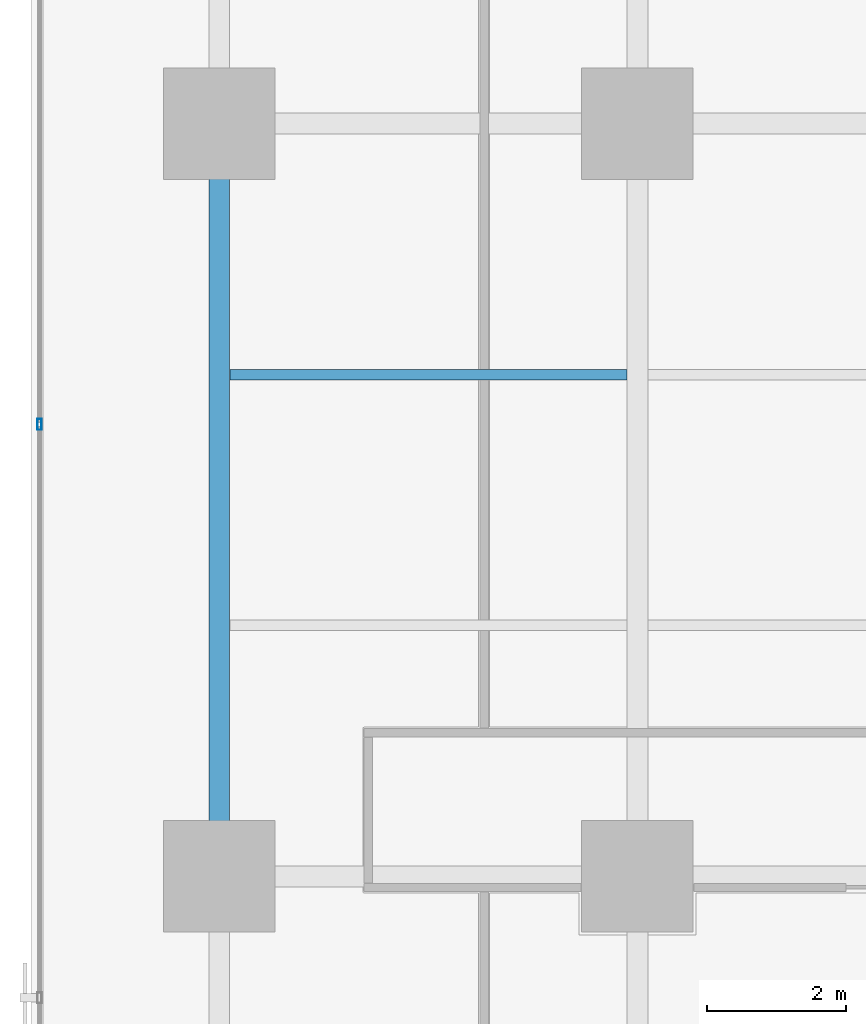
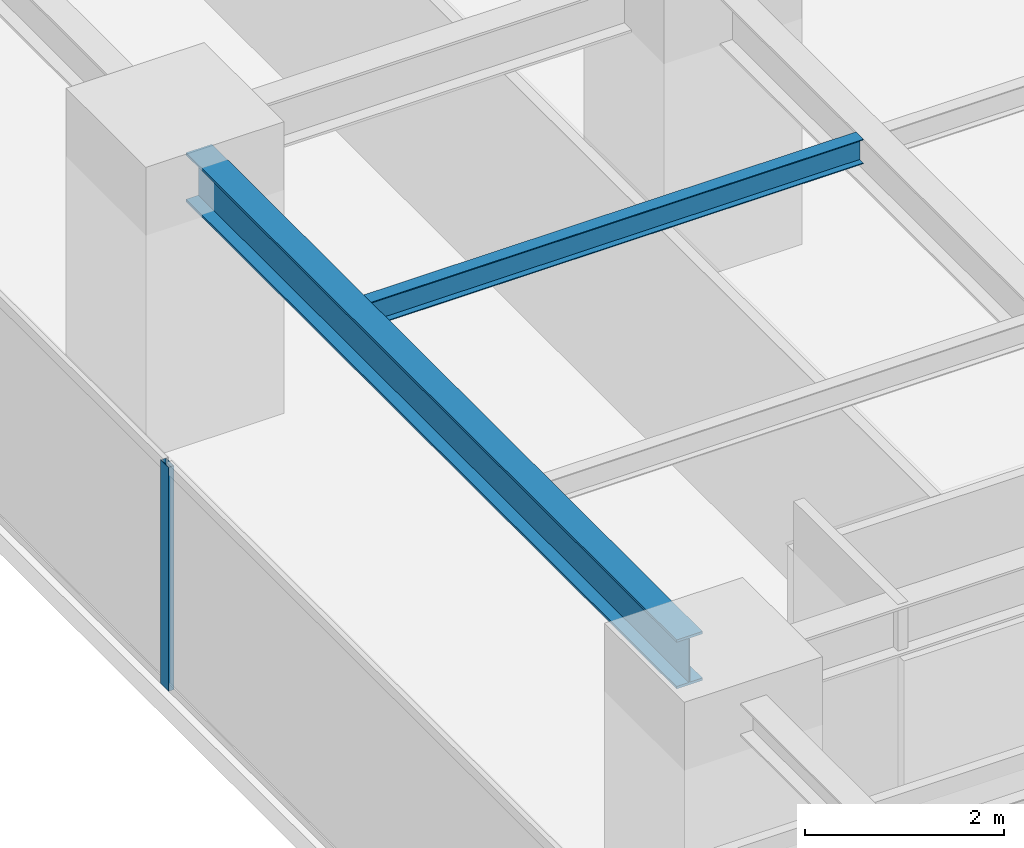
# One storey, part 8 of 37: 2 beams, 1 member, 1 element without a shape of its own.
"""IFC4 building model written with IfcOpenShell, lengths in metres."""

from ifc_helpers import new_model, si_unit, direction, frame, origin, origin_2d, place, context, subcontext, project, spatial, hollow_rectangle, i_section, extrude, source, transform, mapped, material, layer, layer_set, material_profile, profile_set, type_object, element, aggregate, save


model = new_model("IFC4")

# Units and contexts
model_context = context("Model", 3, precision=1e-05, world=origin(), true_north=direction((0.0, 1.0)))
body_context = subcontext(model_context, "Body", "Model", "MODEL_VIEW")
ifc_project = project(units=[si_unit("LENGTHUNIT", "METRE"), si_unit("AREAUNIT", "SQUARE_METRE"), si_unit("VOLUMEUNIT", "CUBIC_METRE"), si_unit("PLANEANGLEUNIT", "RADIAN"), si_unit("MASSUNIT", "GRAM", prefix="KILO")], contexts=[model_context])

# Site, building, storey
site_placement = place(None, origin())
site = spatial("IfcSite", under=ifc_project, at=site_placement, CompositionType="ELEMENT")
building_placement = place(site_placement, origin())
building = spatial("IfcBuilding", under=site, at=building_placement, Name="Sumidabori Civic Tower", CompositionType="ELEMENT")
storey_placement = place(building_placement, frame((0.0, 0.0, 81.199951171875)))
storey = spatial("IfcBuildingStorey", under=building, at=storey_placement, Name="L20", CompositionType="ELEMENT", Elevation=81.199951171875)

# Beams
ifc_material_1 = material(Name="Steel SN490", Category="steel")
ifc_material_profile_1 = material_profile(ifc_material_1, i_section(OverallWidth=0.300048828125, OverallDepth=0.60009765625, WebThickness=0.015380859375, FlangeThickness=0.030029296875, at=origin_2d()), Name="HE 600 B")
ifc_profile_set_1 = profile_set([ifc_material_profile_1], Name="Steel SN490")
beam_type_1 = type_object("IfcBeamType", Name="BM-GIRD-600", PredefinedType="BEAM", material=ifc_profile_set_1)
shared_shape_1 = source(origin(), body_context, "Body", "SweptSolid", [
    extrude(i_section(OverallWidth=0.300048828125, OverallDepth=0.60009765625, WebThickness=0.015380859375, FlangeThickness=0.030029296875, at=origin_2d()), origin(), (0.0, 0.0, 1.0), 9.840087890625),
])
beam_1_placement = place(storey_placement, frame((-22.800048828125, -10.320068359375, 3.06005859375), z_axis=(0.0, 1.0, 0.0), x_axis=(-1.0, 0.0, 0.0)))
element("IfcBeam", 1, at=beam_1_placement, inside=storey, type_object=beam_type_1, Name="Primary Girder L20 GY-22", PredefinedType="BEAM", context=body_context, shape_type="MappedRepresentation", body=[
    mapped(shared_shape_1, transform((0.0, 0.0, 0.0), x_axis=(1.0, 0.0, 0.0), y_axis=(0.0, 1.0, 0.0), z_axis=(0.0, 0.0, 1.0), scale=1.0)),
])
ifc_material_profile_2 = material_profile(ifc_material_1, i_section(OverallWidth=0.14990234375, OverallDepth=0.300048828125, WebThickness=0.007080078125, FlangeThickness=0.0107421875, at=origin_2d()), Name="IPE 300")
ifc_profile_set_2 = profile_set([ifc_material_profile_2], Name="Steel SN490")
beam_type_2 = type_object("IfcBeamType", Name="BM-JST-300", PredefinedType="JOIST", material=ifc_profile_set_2)
shared_shape_2 = source(origin(), body_context, "Body", "SweptSolid", [
    extrude(i_section(OverallWidth=0.14990234375, OverallDepth=0.300048828125, WebThickness=0.007080078125, FlangeThickness=0.0107421875, at=origin_2d()), origin(), (0.0, 0.0, 1.0), 5.699951171875),
])
beam_2_placement = place(storey_placement, frame((-22.64990234375, -3.60009765625, 3.2099609375), z_axis=(1.0, 0.0, 0.0), x_axis=(0.0, 1.0, 0.0)))
element("IfcBeam", 2, at=beam_2_placement, inside=storey, type_object=beam_type_2, Name="Outer Bay Floor Joist L20 JSTO-45", PredefinedType="JOIST", context=body_context, shape_type="MappedRepresentation", body=[
    mapped(shared_shape_2, transform((0.0, 0.0, 0.0), x_axis=(1.0, 0.0, 0.0), y_axis=(0.0, 1.0, 0.0), z_axis=(0.0, 0.0, 1.0), scale=1.0)),
])

# Curtain wall, member
ifc_material_2 = material(Name="Anodised Bronze Aluminium AW-6063-T6", Category="aluminium")
ifc_layer = layer(ifc_material_2, 0.179931640625, Name="Anodised Bronze Aluminium AW-6063-T6")
ifc_layer_set = layer_set([ifc_layer], Name="Anodised Bronze Aluminium AW-6063-T6")
curtain_wall_type = type_object("IfcCurtainWallType", Name="CW-SYS-3", PredefinedType="NOTDEFINED", material=ifc_layer_set)
curtain_wall_placement = place(storey_placement, origin())
curtain_wall = element("IfcCurtainWall", 3, at=curtain_wall_placement, inside=storey, type_object=curtain_wall_type, Name="Curtain Wall CW:L20:R10", PredefinedType="NOTDEFINED")
ifc_material_profile_3 = material_profile(ifc_material_2, hollow_rectangle(XDim=0.06494140625, YDim=0.159912109375, WallThickness=0.0048828125, at=origin_2d()), Name="ALU MULLION 160x65")
ifc_profile_set_3 = profile_set([ifc_material_profile_3], Name="Anodised Bronze Aluminium AW-6063-T6")
member_type = type_object("IfcMemberType", Name="CW-MUL-160", PredefinedType="MULLION", material=ifc_profile_set_3)
shared_shape_3 = source(origin(), body_context, "Body", "SweptSolid", [
    extrude(hollow_rectangle(XDim=0.06494140625, YDim=0.159912109375, WallThickness=0.0048828125, at=origin_2d()), origin(), (0.0, 0.0, 1.0), 2.739990234375),
])
member_placement = place(storey_placement, frame((-25.3798828125, -4.31396484375, 0.0), z_axis=(0.0, 0.0, 1.0), x_axis=(1.0, 0.0, 0.0)))
member = element("IfcMember", 4, at=member_placement, type_object=member_type, Name="CW-3 mullion 4", PredefinedType="MULLION", context=body_context, shape_type="MappedRepresentation", body=[
    mapped(shared_shape_3, transform((0.0, 0.0, 0.0), x_axis=(1.0, 0.0, 0.0), y_axis=(0.0, 1.0, 0.0), z_axis=(0.0, 0.0, 1.0), scale=1.0)),
])
aggregate(curtain_wall, [member])

save(model, "model.ifc")
